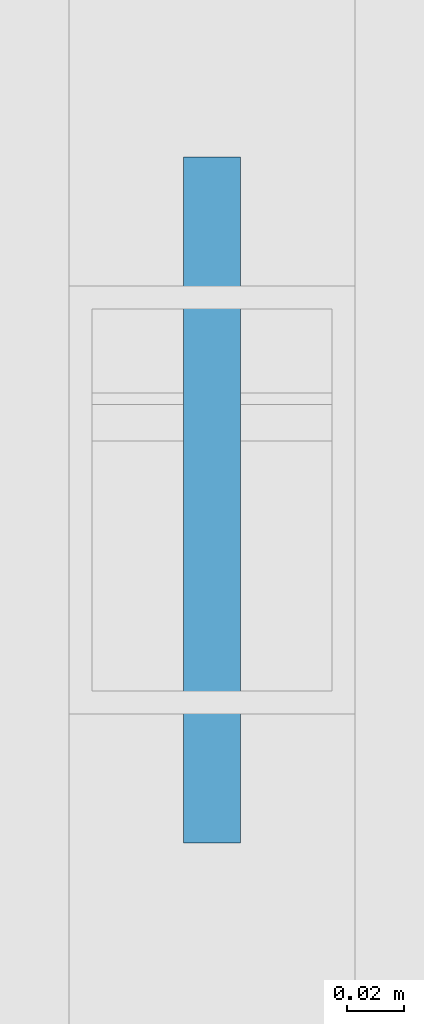
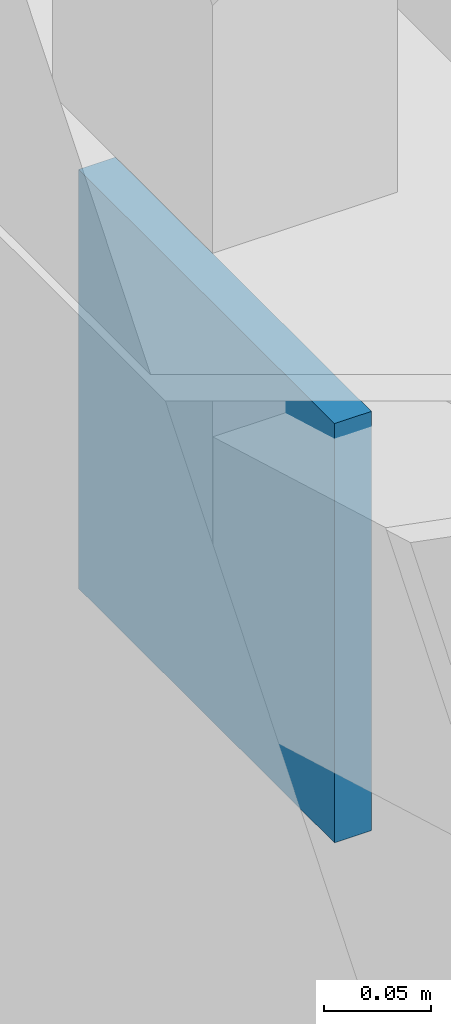
# One storey, part 92 of 138: 1 plate.
"""IFC4 building model written with IfcOpenShell, lengths in metres."""

from ifc_helpers import new_model, si_unit, direction, frame, origin, origin_2d, place, context, subcontext, project, spatial, rectangle, extrude, material, layer, layer_set, type_object, element, save


model = new_model("IFC4")

# Units and contexts
model_context = context("Model", 3, precision=1e-05, world=origin(), true_north=direction((0.0, 1.0)))
body_context = subcontext(model_context, "Body", "Model", "MODEL_VIEW")
ifc_project = project(units=[si_unit("LENGTHUNIT", "METRE"), si_unit("AREAUNIT", "SQUARE_METRE"), si_unit("VOLUMEUNIT", "CUBIC_METRE"), si_unit("PLANEANGLEUNIT", "RADIAN"), si_unit("MASSUNIT", "GRAM", prefix="KILO"), si_unit("THERMODYNAMICTEMPERATUREUNIT", "KELVIN"), si_unit("POWERUNIT", "WATT")], contexts=[model_context])

# Site, building, storey
site_placement = place(None, origin())
site = spatial("IfcSite", under=ifc_project, at=site_placement, CompositionType="ELEMENT")
building_placement = place(site_placement, origin())
building = spatial("IfcBuilding", under=site, at=building_placement, Name="Tavuni Mirador Residences", CompositionType="ELEMENT")
storey_placement = place(building_placement, origin())
storey = spatial("IfcBuildingStorey", under=building, at=storey_placement, Name="L00", CompositionType="ELEMENT", Elevation=0.0)

# Plate
ifc_material = material(Name="Structural steel S355", Category="steel")
ifc_layer = layer(ifc_material, 0.01806640625, Name="Structural steel S355", Category="steel")
ifc_layer_set = layer_set([ifc_layer], Name="Structural steel S355")
plate_type = type_object("IfcPlateType", Name="PLT-GP05", PredefinedType="USERDEFINED", material=ifc_layer_set)
plate_placement = place(storey_placement, frame((90.0, 134.652099609375, 3.49560546875), z_axis=(0.0, 0.0, 1.0), x_axis=(1.0, 0.0, 0.0)))
element("IfcPlate", 1, at=plate_placement, inside=storey, type_object=plate_type, Name="ARCH-BLKD-W-06-GQ2", ObjectType="GUSSET PLATE", PredefinedType="USERDEFINED", context=body_context, shape_type="SweptSolid", body=[
    extrude(rectangle(XDim=0.02001953125, YDim=0.239990234375, at=origin_2d()), origin(), (0.0, 0.0, 1.0), 0.239990234375),
])

save(model, "model.ifc")
